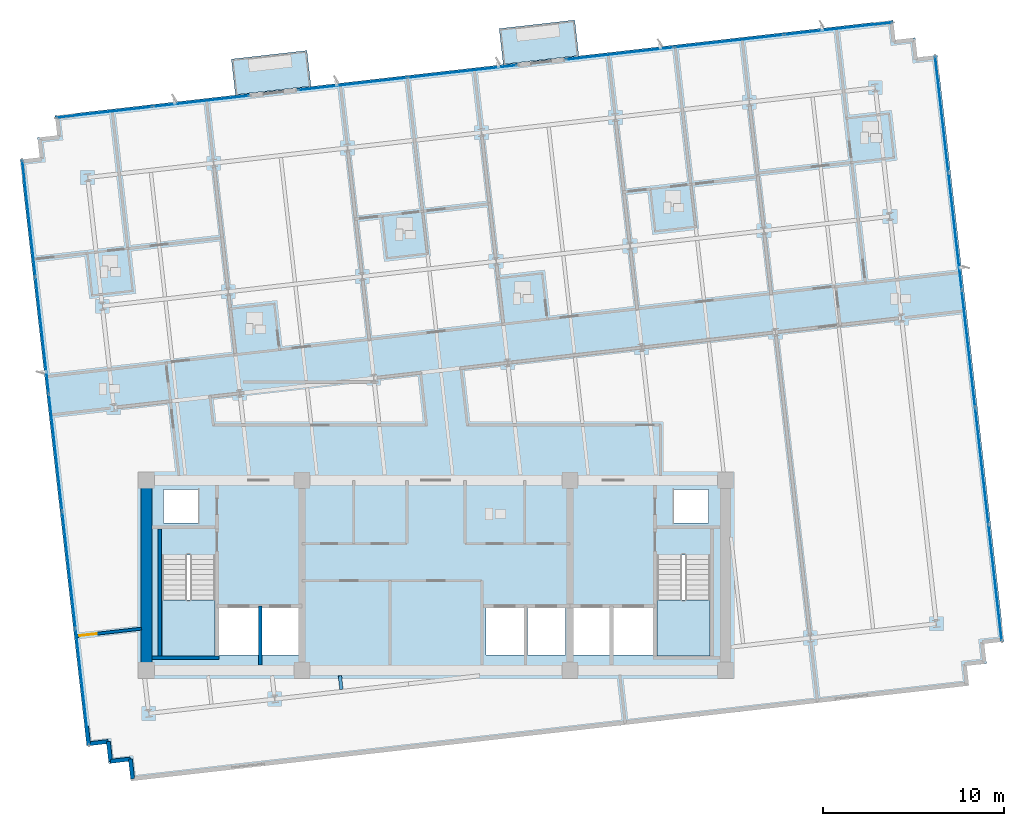
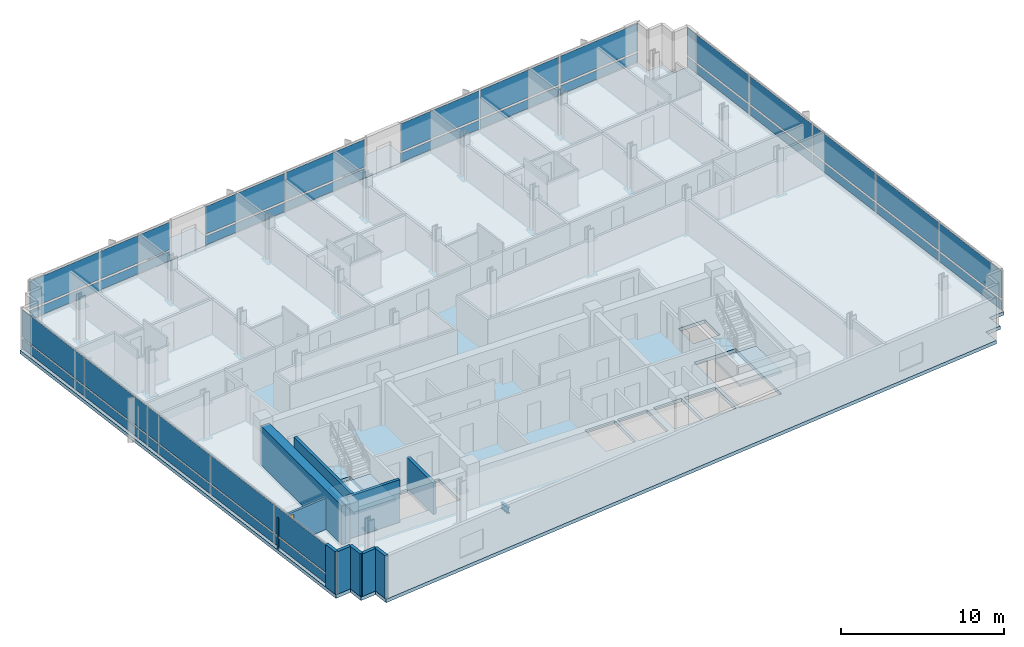
# One storey, part 7 of 17: 34 plates, 10 walls, 5 slabs, 1 beam, 1 door, 1 opening, 7 elements without a shape of their own.
"""IFC4 building model written with IfcOpenShell, lengths in metres."""

import ifcopenshell
import ifcopenshell.guid

model = None  # the IFC model being written
_history = None  # IfcOwnerHistory: only IFC2X3 demands one
_inside = {}  # id of a spatial element -> (the spatial element, [elements in it])
_under = {}  # id of a project, library or spatial element -> (it, [spatial elements below it])
_declared = {}  # id of a project -> (the project, [libraries it declares])
_typed = {}  # id of a type object -> (the type object, [elements of that type])
_made_of = {}  # id of a material, layer set ... -> (it, [elements and type objects made of it])


def new_model(schema):
    """Start an empty IFC model of exactly this schema.

    Asked for "IFC4X3", IfcOpenShell would pick the latest addendum, in which some entities
    have other attributes; the version numbers below select the first issue.
    IFC2X3 requires an IfcOwnerHistory on every rooted entity: one is made here for all.
    """
    global model, _history
    if schema == "IFC4X3":
        model = ifcopenshell.file(schema_version=(4, 3, 0, 0))
    else:
        model = ifcopenshell.file(schema=schema)
    _inside.clear()
    _under.clear()
    _declared.clear()
    _typed.clear()
    _made_of.clear()
    _history = None
    if model.schema == "IFC2X3":
        org = make("IfcOrganization", Name="unknown")
        user = make(
            "IfcPersonAndOrganization",
            ThePerson=make("IfcPerson", FamilyName="unknown"),
            TheOrganization=org,
        )
        app = make(
            "IfcApplication",
            ApplicationDeveloper=org,
            Version="unknown",
            ApplicationFullName="unknown",
            ApplicationIdentifier="unknown",
        )
        _history = make(
            "IfcOwnerHistory",
            OwningUser=user,
            OwningApplication=app,
            ChangeAction="ADDED",
            CreationDate=0,
        )
    return model


def make(cls, **values):
    """One entity of the class cls with the attributes given. An attribute that is None is left unset."""
    return model.create_entity(
        cls, **{name: value for name, value in values.items() if value is not None}
    )


def rooted(cls, **values):
    """An entity with a GlobalId (a new one), such as an element, a storey or a relation."""
    return make(cls, GlobalId=ifcopenshell.guid.new(), OwnerHistory=_history, **values)


def si_unit(unit_type, name, prefix=None):
    """IfcSIUnit, for example si_unit("LENGTHUNIT", "METRE", prefix="MILLI")."""
    return make("IfcSIUnit", UnitType=unit_type, Prefix=prefix, Name=name)


def assignment(units):
    """IfcUnitAssignment: the units of a project."""
    return None if units is None else make("IfcUnitAssignment", Units=units)


def point(xyz):
    """IfcCartesianPoint."""
    return None if xyz is None else make("IfcCartesianPoint", Coordinates=xyz)


def direction(xyz):
    """IfcDirection."""
    return None if xyz is None else make("IfcDirection", DirectionRatios=xyz)


def frame(location, z_axis=None, x_axis=None):
    """IfcAxis2Placement3D, a coordinate frame: its origin and axes. An axis left out is left unset."""
    return make(
        "IfcAxis2Placement3D",
        Location=point(location),
        Axis=direction(z_axis),
        RefDirection=direction(x_axis),
    )


def frame_2d(location, x_axis=None):
    """IfcAxis2Placement2D, a coordinate frame in the plane: its origin and x axis."""
    return make(
        "IfcAxis2Placement2D", Location=point(location), RefDirection=direction(x_axis)
    )


def origin():
    """The frame at (0, 0, 0) with its axes left unset."""
    return frame((0.0, 0.0, 0.0))


def origin_2d():
    """The frame at (0, 0) in the plane with its x axis left unset."""
    return frame_2d((0.0, 0.0))


def place(relative_to, where):
    """IfcLocalPlacement: puts the frame where relative to a parent placement (None: the world)."""
    return make(
        "IfcLocalPlacement", PlacementRelTo=relative_to, RelativePlacement=where
    )


def context(
    kind, dimensions, precision=None, world=None, true_north=None, identifier=None
):
    """IfcGeometricRepresentationContext, for example the 3D "Model" context."""
    return make(
        "IfcGeometricRepresentationContext",
        ContextIdentifier=identifier,
        ContextType=kind,
        CoordinateSpaceDimension=dimensions,
        Precision=precision,
        WorldCoordinateSystem=world,
        TrueNorth=true_north,
    )


def subcontext(parent, identifier, kind, view, scale=None):
    """IfcGeometricRepresentationSubContext, for example "Body" below "Model"."""
    return make(
        "IfcGeometricRepresentationSubContext",
        ContextIdentifier=identifier,
        ContextType=kind,
        ParentContext=parent,
        TargetScale=scale,
        TargetView=view,
    )


def project(units=None, contexts=None):
    """IfcProject with its units and contexts."""
    return rooted(
        "IfcProject",
        Name="project",
        RepresentationContexts=contexts,
        UnitsInContext=assignment(units),
    )


def spatial(cls, under=None, at=None, **own):
    """A site, building, storey or space (cls), placed at a placement, below another one or the project."""
    s = rooted(cls, ObjectPlacement=at, **own)
    if under is not None:
        _under.setdefault(under.id(), (under, []))[1].append(s)
    return s


def polyline(points):
    """IfcPolyline through the points."""
    return make("IfcPolyline", Points=[point(p) for p in points])


def profile(cls, at=None, kind="AREA", **sizes):
    """A parametric profile (cls). Its sizes go by their IFC names, for example OverallWidth=200.0."""
    return make(cls, ProfileType=kind, Position=at, **sizes)


def rectangle(**sizes):
    """IfcRectangleProfileDef."""
    return profile("IfcRectangleProfileDef", **sizes)


def i_section(**sizes):
    """IfcIShapeProfileDef."""
    return profile("IfcIShapeProfileDef", **sizes)


def outline(outer, holes=None, kind="AREA"):
    """IfcArbitraryClosedProfileDef: a profile drawn as a closed curve; with holes, ...WithVoids."""
    if holes is None:
        return make("IfcArbitraryClosedProfileDef", ProfileType=kind, OuterCurve=outer)
    return make(
        "IfcArbitraryProfileDefWithVoids",
        ProfileType=kind,
        OuterCurve=outer,
        InnerCurves=holes,
    )


def extrude(swept, where, along, depth):
    """IfcExtrudedAreaSolid: the profile swept, set in the frame where, extruded along a direction by depth."""
    return make(
        "IfcExtrudedAreaSolid",
        SweptArea=swept,
        Position=where,
        ExtrudedDirection=direction(along),
        Depth=depth,
    )


def shape(context_of_items, identifier, shape_type, items):
    """IfcShapeRepresentation: the items that make up one representation, for example the "Body"."""
    return make(
        "IfcShapeRepresentation",
        ContextOfItems=context_of_items,
        RepresentationIdentifier=identifier,
        RepresentationType=shape_type,
        Items=items,
    )


def material(Name=None, Category=None):
    """IfcMaterial."""
    return make("IfcMaterial", Name=Name, Category=Category)


def layer(
    of_material, thickness, ventilated=None, Name=None, Category=None, Priority=None
):
    """IfcMaterialLayer: one layer of a wall or slab, of a material (None: an air gap)."""
    return make(
        "IfcMaterialLayer",
        Material=of_material,
        LayerThickness=thickness,
        IsVentilated=ventilated,
        Name=Name,
        Category=Category,
        Priority=Priority,
    )


def layer_set(layers, Name=None):
    """IfcMaterialLayerSet."""
    return make("IfcMaterialLayerSet", MaterialLayers=layers, LayerSetName=Name)


def material_profile(
    of_material, cross_section, Name=None, Category=None, Priority=None
):
    """IfcMaterialProfile: a cross section and its material."""
    return make(
        "IfcMaterialProfile",
        Name=Name,
        Material=of_material,
        Profile=cross_section,
        Priority=Priority,
        Category=Category,
    )


def profile_set(profiles, Name=None, composite=None):
    """IfcMaterialProfileSet."""
    return make(
        "IfcMaterialProfileSet",
        Name=Name,
        MaterialProfiles=profiles,
        CompositeProfile=composite,
    )


def made_of(thing, what):
    """Note that an element or type object is made of a material, layer set ...; save() writes the relation."""
    if what is not None:
        _made_of.setdefault(what.id(), (what, []))[1].append(thing)
    return thing


def type_object(cls, material=None, **own):
    """A type object (cls), such as IfcWallType, which elements share."""
    return made_of(rooted(cls, **own), material)


def element(
    cls,
    number,
    at=None,
    inside=None,
    cuts=None,
    type_object=None,
    material=None,
    context=None,
    identifier="Body",
    shape_type=None,
    held_by="IfcProductDefinitionShape",
    body=None,
    shapes=None,
    **own,
):
    """One element of the class cls, such as IfcWall. Its Tag is "e" and its number.

    at: its placement. inside: the storey or other place that contains it. cuts: it is an
    opening in that element (IfcRelVoidsElement). A single representation is given by context,
    identifier, shape_type and body (its items); several are given by shapes. held_by: the class
    of the entity that holds the representations. save() writes the other relations.
    """
    e = rooted(cls, Tag="e%d" % number, ObjectPlacement=at, **own)
    if body is not None:
        shapes = [shape(context, identifier, shape_type, body)]
    if shapes is not None:
        e.Representation = make(held_by, Representations=shapes)
    if inside is not None:
        _inside.setdefault(inside.id(), (inside, []))[1].append(e)
    if cuts is not None:
        rooted(
            "IfcRelVoidsElement", RelatingBuildingElement=cuts, RelatedOpeningElement=e
        )
    if type_object is not None:
        _typed.setdefault(type_object.id(), (type_object, []))[1].append(e)
    return made_of(e, material)


def fill(opening, filler):
    """IfcRelFillsElement: the door or window that sits in an opening."""
    return rooted(
        "IfcRelFillsElement",
        RelatingOpeningElement=opening,
        RelatedBuildingElement=filler,
    )


def aggregate(whole, parts):
    """IfcRelAggregates: a whole, such as a stair, and the parts it consists of."""
    return rooted("IfcRelAggregates", RelatingObject=whole, RelatedObjects=parts)


def save(model, path):
    """Write the relations noted so far, then the file.

    IfcRelAggregates (storeys below a building ...), IfcRelContainedInSpatialStructure (elements
    in a storey), IfcRelDefinesByType, IfcRelAssociatesMaterial and IfcRelDeclares: one each for
    every whole, place, type object, material and project.
    """
    for whole, parts in _under.values():
        aggregate(whole, parts)
    for where, things in _inside.values():
        rooted(
            "IfcRelContainedInSpatialStructure",
            RelatedElements=things,
            RelatingStructure=where,
        )
    for kind, things in _typed.values():
        rooted("IfcRelDefinesByType", RelatedObjects=things, RelatingType=kind)
    for what, things in _made_of.values():
        rooted("IfcRelAssociatesMaterial", RelatedObjects=things, RelatingMaterial=what)
    for by, libraries in _declared.values():
        rooted("IfcRelDeclares", RelatingContext=by, RelatedDefinitions=libraries)
    model.write(path)


model = new_model("IFC4")

# Units and contexts
model_context = context("Model", 3, precision=1e-05, world=origin(), true_north=direction((0.0, 1.0)))
body_context = subcontext(model_context, "Body", "Model", "MODEL_VIEW")
ifc_project = project(units=[si_unit("LENGTHUNIT", "METRE"), si_unit("AREAUNIT", "SQUARE_METRE"), si_unit("VOLUMEUNIT", "CUBIC_METRE"), si_unit("PLANEANGLEUNIT", "RADIAN"), si_unit("MASSUNIT", "GRAM", prefix="KILO")], contexts=[model_context])

# Site, building, storey
site_placement = place(None, origin())
site = spatial("IfcSite", under=ifc_project, at=site_placement, CompositionType="ELEMENT")
building_placement = place(site_placement, origin())
building = spatial("IfcBuilding", under=site, at=building_placement, Name="Solmavex Isthmus Hotel", CompositionType="ELEMENT")
storey_placement = place(building_placement, frame((0.0, 0.0, 202.050048828125)))
storey = spatial("IfcBuildingStorey", under=building, at=storey_placement, Name="L54", CompositionType="ELEMENT", Elevation=202.050048828125)

# Beam
ifc_material_1 = material(Name="Steel ASTM A992 Grade 50", Category="steel")
ifc_material_profile = material_profile(ifc_material_1, i_section(OverallWidth=0.1904296875, OverallDepth=0.456787109375, WebThickness=0.009033203125, FlangeThickness=0.014404296875, FilletRadius=0.0126953125, at=origin_2d()), Name="W18X50")
ifc_profile_set = profile_set([ifc_material_profile], Name="Steel ASTM A992 Grade 50")
beam_type = type_object("IfcBeamType", Name="BM-BJ-W18X50", PredefinedType="JOIST", material=ifc_profile_set)
beam_placement = place(storey_placement, frame((-5.2236328125, -14.05419921875, -0.488525390625), z_axis=(-0.112902470797, 0.993606074905, 0.0), x_axis=(-0.993606074905, -0.112902470797, 0.0)))
element("IfcBeam", 1, at=beam_placement, inside=storey, type_object=beam_type, Name="Secondary Floor Joist L54-J05", PredefinedType="JOIST", context=body_context, shape_type="SweptSolid", body=[
    extrude(i_section(OverallWidth=0.1904296875, OverallDepth=0.456787109375, WebThickness=0.009033203125, FlangeThickness=0.014404296875, FilletRadius=0.0126953125, at=origin_2d()), origin(), (0.0, 0.0, 1.0), 0.759033203125),
])

# Curtain wall, plates
ifc_material_2 = material(Name="Aluminium alloy 6063-T6", Category="aluminium")
curtain_wall_type = type_object("IfcCurtainWallType", Name="CW-SYS-04", PredefinedType="NOTDEFINED", material=ifc_material_2)
curtain_wall_1_placement = place(storey_placement, origin())
curtain_wall_1 = element("IfcCurtainWall", 2, at=curtain_wall_1_placement, inside=storey, type_object=curtain_wall_type, Name="Stick Curtain Wall CWL-L54-N1", PredefinedType="NOTDEFINED")
ifc_material_3 = material(Name="Clear low-E laminated glass", Category="glass")
ifc_layer_1 = layer(ifc_material_3, 0.033935546875)
ifc_layer_set_1 = layer_set([ifc_layer_1], Name="Clear low-E laminated glass")
plate_type = type_object("IfcPlateType", Name="CW-SYS-04-PNL", PredefinedType="CURTAIN_PANEL", material=ifc_layer_set_1)
plate_1_placement = place(storey_placement, frame((-18.322021484375, 17.832763671875, 0.14990234375), z_axis=(0.0, 0.0, 1.0), x_axis=(0.993571901125, 0.113202814871, 0.0)))
plate_1 = element("IfcPlate", 3, at=plate_1_placement, type_object=plate_type, Name="CW-04 panel 1.1", PredefinedType="CURTAIN_PANEL", context=body_context, shape_type="SweptSolid", body=[
    extrude(rectangle(XDim=5.302978515625, YDim=0.033935546875, at=origin_2d()), origin(), (0.0, 0.0, 1.0), 0.675048828125),
])
plate_2_placement = place(storey_placement, frame((-18.322021484375, 17.832763671875, 0.97509765625), z_axis=(0.0, 0.0, 1.0), x_axis=(0.993571901125, 0.113202814871, 0.0)))
plate_2 = element("IfcPlate", 4, at=plate_2_placement, type_object=plate_type, Name="CW-04 panel 1.2", PredefinedType="CURTAIN_PANEL", context=body_context, shape_type="SweptSolid", body=[
    extrude(rectangle(XDim=5.302978515625, YDim=0.033935546875, at=origin_2d()), origin(), (0.0, 0.0, 1.0), 2.06494140625),
])
plate_3_placement = place(storey_placement, frame((-12.978515625, 18.441650390625, 0.14990234375), z_axis=(0.0, 0.0, 1.0), x_axis=(0.993571901125, 0.113202814871, 0.0)))
plate_3 = element("IfcPlate", 5, at=plate_3_placement, type_object=plate_type, Name="CW-04 panel 2.1", PredefinedType="CURTAIN_PANEL", context=body_context, shape_type="SweptSolid", body=[
    extrude(rectangle(XDim=5.302978515625, YDim=0.033935546875, at=origin_2d()), origin(), (0.0, 0.0, 1.0), 0.675048828125),
])
plate_4_placement = place(storey_placement, frame((-12.978515625, 18.441650390625, 0.97509765625), z_axis=(0.0, 0.0, 1.0), x_axis=(0.993571901125, 0.113202814871, 0.0)))
plate_4 = element("IfcPlate", 6, at=plate_4_placement, type_object=plate_type, Name="CW-04 panel 2.2", PredefinedType="CURTAIN_PANEL", context=body_context, shape_type="SweptSolid", body=[
    extrude(rectangle(XDim=5.302978515625, YDim=0.033935546875, at=origin_2d()), origin(), (0.0, 0.0, 1.0), 2.06494140625),
])
aggregate(curtain_wall_1, [plate_1, plate_2, plate_3, plate_4])

curtain_wall_2_placement = place(storey_placement, origin())
curtain_wall_2 = element("IfcCurtainWall", 7, at=curtain_wall_2_placement, inside=storey, type_object=curtain_wall_type, Name="Stick Curtain Wall CWL-L54-N2", PredefinedType="NOTDEFINED")
plate_5_placement = place(storey_placement, frame((-4.6142578125, 19.39453125, 0.14990234375), z_axis=(0.0, 0.0, 1.0), x_axis=(0.993571896348, 0.113202856801, 0.0)))
plate_5 = element("IfcPlate", 8, at=plate_5_placement, type_object=plate_type, Name="CW-04 panel 1.1", PredefinedType="CURTAIN_PANEL", context=body_context, shape_type="SweptSolid", body=[
    extrude(rectangle(XDim=6.033447265625, YDim=0.033935546875, at=origin_2d()), origin(), (0.0, 0.0, 1.0), 0.675048828125),
])
plate_6_placement = place(storey_placement, frame((-4.6142578125, 19.39453125, 0.97509765625), z_axis=(0.0, 0.0, 1.0), x_axis=(0.993571896348, 0.113202856801, 0.0)))
plate_6 = element("IfcPlate", 9, at=plate_6_placement, type_object=plate_type, Name="CW-04 panel 1.2", PredefinedType="CURTAIN_PANEL", context=body_context, shape_type="SweptSolid", body=[
    extrude(rectangle(XDim=6.033447265625, YDim=0.033935546875, at=origin_2d()), origin(), (0.0, 0.0, 1.0), 2.06494140625),
])
plate_7_placement = place(storey_placement, frame((1.454833984375, 20.086181640625, 0.14990234375), z_axis=(0.0, 0.0, 1.0), x_axis=(0.993571896348, 0.113202856801, 0.0)))
plate_7 = element("IfcPlate", 10, at=plate_7_placement, type_object=plate_type, Name="CW-04 panel 2.1", PredefinedType="CURTAIN_PANEL", context=body_context, shape_type="SweptSolid", body=[
    extrude(rectangle(XDim=6.033447265625, YDim=0.033935546875, at=origin_2d()), origin(), (0.0, 0.0, 1.0), 0.675048828125),
])
plate_8_placement = place(storey_placement, frame((1.454833984375, 20.086181640625, 0.97509765625), z_axis=(0.0, 0.0, 1.0), x_axis=(0.993571896348, 0.113202856801, 0.0)))
plate_8 = element("IfcPlate", 11, at=plate_8_placement, type_object=plate_type, Name="CW-04 panel 2.2", PredefinedType="CURTAIN_PANEL", context=body_context, shape_type="SweptSolid", body=[
    extrude(rectangle(XDim=6.033447265625, YDim=0.033935546875, at=origin_2d()), origin(), (0.0, 0.0, 1.0), 2.06494140625),
])
aggregate(curtain_wall_2, [plate_5, plate_6, plate_7, plate_8])

curtain_wall_3_placement = place(storey_placement, origin())
curtain_wall_3 = element("IfcCurtainWall", 12, at=curtain_wall_3_placement, inside=storey, type_object=curtain_wall_type, Name="Stick Curtain Wall CWL-L54-N3", PredefinedType="NOTDEFINED")
plate_9_placement = place(storey_placement, frame((10.1552734375, 21.077392578125, 0.14990234375), z_axis=(0.0, 0.0, 1.0), x_axis=(0.99357182379, 0.113203493636, 0.0)))
plate_9 = element("IfcPlate", 13, at=plate_9_placement, type_object=plate_type, Name="CW-04 panel 1.1", PredefinedType="CURTAIN_PANEL", context=body_context, shape_type="SweptSolid", body=[
    extrude(rectangle(XDim=5.979736328125, YDim=0.033935546875, at=origin_2d()), origin(), (0.0, 0.0, 1.0), 0.675048828125),
])
plate_10_placement = place(storey_placement, frame((10.1552734375, 21.077392578125, 0.97509765625), z_axis=(0.0, 0.0, 1.0), x_axis=(0.99357182379, 0.113203493636, 0.0)))
plate_10 = element("IfcPlate", 14, at=plate_10_placement, type_object=plate_type, Name="CW-04 panel 1.2", PredefinedType="CURTAIN_PANEL", context=body_context, shape_type="SweptSolid", body=[
    extrude(rectangle(XDim=5.979736328125, YDim=0.033935546875, at=origin_2d()), origin(), (0.0, 0.0, 1.0), 2.06494140625),
])
plate_11_placement = place(storey_placement, frame((16.189697265625, 21.764892578125, 0.14990234375), z_axis=(0.0, 0.0, 1.0), x_axis=(0.99357182379, 0.113203493636, 0.0)))
plate_11 = element("IfcPlate", 15, at=plate_11_placement, type_object=plate_type, Name="CW-04 panel 2.1", PredefinedType="CURTAIN_PANEL", context=body_context, shape_type="SweptSolid", body=[
    extrude(rectangle(XDim=6.017333984375, YDim=0.033935546875, at=origin_2d()), origin(), (0.0, 0.0, 1.0), 0.675048828125),
])
plate_12_placement = place(storey_placement, frame((16.189697265625, 21.764892578125, 0.97509765625), z_axis=(0.0, 0.0, 1.0), x_axis=(0.99357182379, 0.113203493636, 0.0)))
plate_12 = element("IfcPlate", 16, at=plate_12_placement, type_object=plate_type, Name="CW-04 panel 2.2", PredefinedType="CURTAIN_PANEL", context=body_context, shape_type="SweptSolid", body=[
    extrude(rectangle(XDim=6.017333984375, YDim=0.033935546875, at=origin_2d()), origin(), (0.0, 0.0, 1.0), 2.06494140625),
])
plate_13_placement = place(storey_placement, frame((22.224365234375, 22.45263671875, 0.14990234375), z_axis=(0.0, 0.0, 1.0), x_axis=(0.99357182379, 0.113203493636, 0.0)))
plate_13 = element("IfcPlate", 17, at=plate_13_placement, type_object=plate_type, Name="CW-04 panel 3.1", PredefinedType="CURTAIN_PANEL", context=body_context, shape_type="SweptSolid", body=[
    extrude(rectangle(XDim=5.979736328125, YDim=0.033935546875, at=origin_2d()), origin(), (0.0, 0.0, 1.0), 0.675048828125),
])
plate_14_placement = place(storey_placement, frame((22.224365234375, 22.45263671875, 0.97509765625), z_axis=(0.0, 0.0, 1.0), x_axis=(0.99357182379, 0.113203493636, 0.0)))
plate_14 = element("IfcPlate", 18, at=plate_14_placement, type_object=plate_type, Name="CW-04 panel 3.2", PredefinedType="CURTAIN_PANEL", context=body_context, shape_type="SweptSolid", body=[
    extrude(rectangle(XDim=5.979736328125, YDim=0.033935546875, at=origin_2d()), origin(), (0.0, 0.0, 1.0), 2.06494140625),
])
aggregate(curtain_wall_3, [plate_9, plate_10, plate_11, plate_12, plate_13, plate_14])

curtain_wall_4_placement = place(storey_placement, origin())
curtain_wall_4 = element("IfcCurtainWall", 19, at=curtain_wall_4_placement, inside=storey, type_object=curtain_wall_type, Name="Stick Curtain Wall CWL-L54-W1", PredefinedType="NOTDEFINED")
plate_15_placement = place(storey_placement, frame((-19.542724609375, -13.91064453125, 0.14990234375), z_axis=(0.0, 0.0, 1.0), x_axis=(-0.11320338078, 0.993571836648, 0.0)))
plate_15 = element("IfcPlate", 20, at=plate_15_placement, type_object=plate_type, Name="CW-04 panel 1.1", PredefinedType="CURTAIN_PANEL", context=body_context, shape_type="SweptSolid", body=[
    extrude(rectangle(XDim=6.407470703125, YDim=0.033935546875, at=origin_2d()), origin(), (0.0, 0.0, 1.0), 0.675048828125),
])
plate_16_placement = place(storey_placement, frame((-19.542724609375, -13.91064453125, 0.97509765625), z_axis=(0.0, 0.0, 1.0), x_axis=(-0.11320338078, 0.993571836648, 0.0)))
plate_16 = element("IfcPlate", 21, at=plate_16_placement, type_object=plate_type, Name="CW-04 panel 1.2", PredefinedType="CURTAIN_PANEL", context=body_context, shape_type="SweptSolid", body=[
    extrude(rectangle(XDim=6.407470703125, YDim=0.033935546875, at=origin_2d()), origin(), (0.0, 0.0, 1.0), 2.06494140625),
])
plate_17_placement = place(storey_placement, frame((-20.27880859375, -7.451171875, 0.14990234375), z_axis=(0.0, 0.0, 1.0), x_axis=(-0.11320338078, 0.993571836648, 0.0)))
plate_17 = element("IfcPlate", 22, at=plate_17_placement, type_object=plate_type, Name="CW-04 panel 2.1", PredefinedType="CURTAIN_PANEL", context=body_context, shape_type="SweptSolid", body=[
    extrude(rectangle(XDim=6.445068359375, YDim=0.033935546875, at=origin_2d()), origin(), (0.0, 0.0, 1.0), 0.675048828125),
])
plate_18_placement = place(storey_placement, frame((-20.27880859375, -7.451171875, 0.97509765625), z_axis=(0.0, 0.0, 1.0), x_axis=(-0.11320338078, 0.993571836648, 0.0)))
plate_18 = element("IfcPlate", 23, at=plate_18_placement, type_object=plate_type, Name="CW-04 panel 2.2", PredefinedType="CURTAIN_PANEL", context=body_context, shape_type="SweptSolid", body=[
    extrude(rectangle(XDim=6.445068359375, YDim=0.033935546875, at=origin_2d()), origin(), (0.0, 0.0, 1.0), 2.06494140625),
])
plate_19_placement = place(storey_placement, frame((-21.016845703125, -0.97314453125, 0.14990234375), z_axis=(0.0, 0.0, 1.0), x_axis=(-0.11320338078, 0.993571836648, 0.0)))
plate_19 = element("IfcPlate", 24, at=plate_19_placement, type_object=plate_type, Name="CW-04 panel 3.1", PredefinedType="CURTAIN_PANEL", context=body_context, shape_type="SweptSolid", body=[
    extrude(rectangle(XDim=6.445068359375, YDim=0.033935546875, at=origin_2d()), origin(), (0.0, 0.0, 1.0), 0.675048828125),
])
plate_20_placement = place(storey_placement, frame((-21.016845703125, -0.97314453125, 0.97509765625), z_axis=(0.0, 0.0, 1.0), x_axis=(-0.11320338078, 0.993571836648, 0.0)))
plate_20 = element("IfcPlate", 25, at=plate_20_placement, type_object=plate_type, Name="CW-04 panel 3.2", PredefinedType="CURTAIN_PANEL", context=body_context, shape_type="SweptSolid", body=[
    extrude(rectangle(XDim=6.445068359375, YDim=0.033935546875, at=origin_2d()), origin(), (0.0, 0.0, 1.0), 2.06494140625),
])
plate_21_placement = place(storey_placement, frame((-21.7548828125, 5.5048828125, 0.14990234375), z_axis=(0.0, 0.0, 1.0), x_axis=(-0.11320338078, 0.993571836648, 0.0)))
plate_21 = element("IfcPlate", 26, at=plate_21_placement, type_object=plate_type, Name="CW-04 panel 4.1", PredefinedType="CURTAIN_PANEL", context=body_context, shape_type="SweptSolid", body=[
    extrude(rectangle(XDim=6.445068359375, YDim=0.033935546875, at=origin_2d()), origin(), (0.0, 0.0, 1.0), 0.675048828125),
])
plate_22_placement = place(storey_placement, frame((-21.7548828125, 5.5048828125, 0.97509765625), z_axis=(0.0, 0.0, 1.0), x_axis=(-0.11320338078, 0.993571836648, 0.0)))
plate_22 = element("IfcPlate", 27, at=plate_22_placement, type_object=plate_type, Name="CW-04 panel 4.2", PredefinedType="CURTAIN_PANEL", context=body_context, shape_type="SweptSolid", body=[
    extrude(rectangle(XDim=6.445068359375, YDim=0.033935546875, at=origin_2d()), origin(), (0.0, 0.0, 1.0), 2.06494140625),
])
plate_23_placement = place(storey_placement, frame((-22.490966796875, 11.96435546875, 0.14990234375), z_axis=(0.0, 0.0, 1.0), x_axis=(-0.11320338078, 0.993571836648, 0.0)))
plate_23 = element("IfcPlate", 28, at=plate_23_placement, type_object=plate_type, Name="CW-04 panel 5.1", PredefinedType="CURTAIN_PANEL", context=body_context, shape_type="SweptSolid", body=[
    extrude(rectangle(XDim=6.407470703125, YDim=0.033935546875, at=origin_2d()), origin(), (0.0, 0.0, 1.0), 0.675048828125),
])
plate_24_placement = place(storey_placement, frame((-22.490966796875, 11.96435546875, 0.97509765625), z_axis=(0.0, 0.0, 1.0), x_axis=(-0.11320338078, 0.993571836648, 0.0)))
plate_24 = element("IfcPlate", 29, at=plate_24_placement, type_object=plate_type, Name="CW-04 panel 5.2", PredefinedType="CURTAIN_PANEL", context=body_context, shape_type="SweptSolid", body=[
    extrude(rectangle(XDim=6.407470703125, YDim=0.033935546875, at=origin_2d()), origin(), (0.0, 0.0, 1.0), 2.06494140625),
])
aggregate(curtain_wall_4, [plate_15, plate_16, plate_17, plate_18, plate_19, plate_20, plate_21, plate_22, plate_23, plate_24])

curtain_wall_5_placement = place(storey_placement, origin())
curtain_wall_5 = element("IfcCurtainWall", 30, at=curtain_wall_5_placement, inside=storey, type_object=curtain_wall_type, Name="Stick Curtain Wall CWL-L54-E1", PredefinedType="NOTDEFINED")
plate_25_placement = place(storey_placement, frame((30.890869140625, -8.16455078125, 0.14990234375), z_axis=(0.0, 0.0, 1.0), x_axis=(-0.11320338078, 0.993571836648, 0.0)))
plate_25 = element("IfcPlate", 31, at=plate_25_placement, type_object=plate_type, Name="CW-04 panel 1.1", PredefinedType="CURTAIN_PANEL", context=body_context, shape_type="SweptSolid", body=[
    extrude(rectangle(XDim=6.407470703125, YDim=0.033935546875, at=origin_2d()), origin(), (0.0, 0.0, 1.0), 0.675048828125),
])
plate_26_placement = place(storey_placement, frame((30.890869140625, -8.16455078125, 0.97509765625), z_axis=(0.0, 0.0, 1.0), x_axis=(-0.11320338078, 0.993571836648, 0.0)))
plate_26 = element("IfcPlate", 32, at=plate_26_placement, type_object=plate_type, Name="CW-04 panel 1.2", PredefinedType="CURTAIN_PANEL", context=body_context, shape_type="SweptSolid", body=[
    extrude(rectangle(XDim=6.407470703125, YDim=0.033935546875, at=origin_2d()), origin(), (0.0, 0.0, 1.0), 2.06494140625),
])
plate_27_placement = place(storey_placement, frame((30.155029296875, -1.705078125, 0.14990234375), z_axis=(0.0, 0.0, 1.0), x_axis=(-0.11320338078, 0.993571836648, 0.0)))
plate_27 = element("IfcPlate", 33, at=plate_27_placement, type_object=plate_type, Name="CW-04 panel 2.1", PredefinedType="CURTAIN_PANEL", context=body_context, shape_type="SweptSolid", body=[
    extrude(rectangle(XDim=6.445068359375, YDim=0.033935546875, at=origin_2d()), origin(), (0.0, 0.0, 1.0), 0.675048828125),
])
plate_28_placement = place(storey_placement, frame((30.155029296875, -1.705078125, 0.97509765625), z_axis=(0.0, 0.0, 1.0), x_axis=(-0.11320338078, 0.993571836648, 0.0)))
plate_28 = element("IfcPlate", 34, at=plate_28_placement, type_object=plate_type, Name="CW-04 panel 2.2", PredefinedType="CURTAIN_PANEL", context=body_context, shape_type="SweptSolid", body=[
    extrude(rectangle(XDim=6.445068359375, YDim=0.033935546875, at=origin_2d()), origin(), (0.0, 0.0, 1.0), 2.06494140625),
])
plate_29_placement = place(storey_placement, frame((29.416748046875, 4.773193359375, 0.14990234375), z_axis=(0.0, 0.0, 1.0), x_axis=(-0.11320338078, 0.993571836648, 0.0)))
plate_29 = element("IfcPlate", 35, at=plate_29_placement, type_object=plate_type, Name="CW-04 panel 3.1", PredefinedType="CURTAIN_PANEL", context=body_context, shape_type="SweptSolid", body=[
    extrude(rectangle(XDim=6.445068359375, YDim=0.033935546875, at=origin_2d()), origin(), (0.0, 0.0, 1.0), 0.675048828125),
])
plate_30_placement = place(storey_placement, frame((29.416748046875, 4.773193359375, 0.97509765625), z_axis=(0.0, 0.0, 1.0), x_axis=(-0.11320338078, 0.993571836648, 0.0)))
plate_30 = element("IfcPlate", 36, at=plate_30_placement, type_object=plate_type, Name="CW-04 panel 3.2", PredefinedType="CURTAIN_PANEL", context=body_context, shape_type="SweptSolid", body=[
    extrude(rectangle(XDim=6.445068359375, YDim=0.033935546875, at=origin_2d()), origin(), (0.0, 0.0, 1.0), 2.06494140625),
])
plate_31_placement = place(storey_placement, frame((28.6787109375, 11.251220703125, 0.14990234375), z_axis=(0.0, 0.0, 1.0), x_axis=(-0.11320338078, 0.993571836648, 0.0)))
plate_31 = element("IfcPlate", 37, at=plate_31_placement, type_object=plate_type, Name="CW-04 panel 4.1", PredefinedType="CURTAIN_PANEL", context=body_context, shape_type="SweptSolid", body=[
    extrude(rectangle(XDim=6.445068359375, YDim=0.033935546875, at=origin_2d()), origin(), (0.0, 0.0, 1.0), 0.675048828125),
])
plate_32_placement = place(storey_placement, frame((28.6787109375, 11.251220703125, 0.97509765625), z_axis=(0.0, 0.0, 1.0), x_axis=(-0.11320338078, 0.993571836648, 0.0)))
plate_32 = element("IfcPlate", 38, at=plate_32_placement, type_object=plate_type, Name="CW-04 panel 4.2", PredefinedType="CURTAIN_PANEL", context=body_context, shape_type="SweptSolid", body=[
    extrude(rectangle(XDim=6.445068359375, YDim=0.033935546875, at=origin_2d()), origin(), (0.0, 0.0, 1.0), 2.06494140625),
])
plate_33_placement = place(storey_placement, frame((27.94287109375, 17.710693359375, 0.14990234375), z_axis=(0.0, 0.0, 1.0), x_axis=(-0.11320338078, 0.993571836648, 0.0)))
plate_33 = element("IfcPlate", 39, at=plate_33_placement, type_object=plate_type, Name="CW-04 panel 5.1", PredefinedType="CURTAIN_PANEL", context=body_context, shape_type="SweptSolid", body=[
    extrude(rectangle(XDim=6.407470703125, YDim=0.033935546875, at=origin_2d()), origin(), (0.0, 0.0, 1.0), 0.675048828125),
])
plate_34_placement = place(storey_placement, frame((27.94287109375, 17.710693359375, 0.97509765625), z_axis=(0.0, 0.0, 1.0), x_axis=(-0.11320338078, 0.993571836648, 0.0)))
plate_34 = element("IfcPlate", 40, at=plate_34_placement, type_object=plate_type, Name="CW-04 panel 5.2", PredefinedType="CURTAIN_PANEL", context=body_context, shape_type="SweptSolid", body=[
    extrude(rectangle(XDim=6.407470703125, YDim=0.033935546875, at=origin_2d()), origin(), (0.0, 0.0, 1.0), 2.06494140625),
])
aggregate(curtain_wall_5, [plate_25, plate_26, plate_27, plate_28, plate_29, plate_30, plate_31, plate_32, plate_33, plate_34])

# Slabs
ifc_material_4 = material(Name="Concrete C40/50", Category="concrete")
ifc_layer_2 = layer(ifc_material_4, 0.239990234375)
ifc_layer_set_2 = layer_set([ifc_layer_2], Name="Concrete C40/50")
slab_type_1 = type_object("IfcSlabType", Name="SLAB-BALC-240", PredefinedType="FLOOR", material=ifc_layer_set_2)
slab_1_placement = place(storey_placement, frame((0.0, 0.0, -0.239990234375)))
element("IfcSlab", 41, at=slab_1_placement, inside=storey, type_object=slab_type_1, Name="Tree-Planter Balcony Slab L54-B1", PredefinedType="FLOOR", context=body_context, shape_type="SweptSolid", body=[
    extrude(outline(polyline([(-11.07958984375, 18.7939453125), (-6.90673828125, 19.269287109375), (-7.13134765625, 21.24169921875), (-11.304443359375, 20.76611328125), (-11.07958984375, 18.7939453125)])), origin(), (0.0, 0.0, 1.0), 0.239990234375),
])
slab_2_placement = place(storey_placement, frame((0.0, 0.0, -0.239990234375)))
element("IfcSlab", 42, at=slab_2_placement, inside=storey, type_object=slab_type_1, Name="Tree-Planter Balcony Slab L54-B2", PredefinedType="FLOOR", context=body_context, shape_type="SweptSolid", body=[
    extrude(outline(polyline([(3.716552734375, 20.479736328125), (7.8896484375, 20.955078125), (7.664794921875, 22.927490234375), (3.491943359375, 22.451904296875), (3.716552734375, 20.479736328125)])), origin(), (0.0, 0.0, 1.0), 0.239990234375),
])
ifc_layer_3 = layer(ifc_material_4, 0.260009765625)
ifc_layer_set_3 = layer_set([ifc_layer_3], Name="Concrete C40/50")
slab_type_2 = type_object("IfcSlabType", Name="SLAB-TYP-260", PredefinedType="FLOOR", material=ifc_layer_set_3)
slab_3_placement = place(storey_placement, frame((0.0, 0.0, -0.260009765625)))
element("IfcSlab", 43, at=slab_3_placement, inside=storey, type_object=slab_type_2, Name="Tower Structural Floor Slab L54", PredefinedType="FLOOR", context=body_context, shape_type="SweptSolid", body=[
    extrude(outline(polyline([(-15.762939453125, -18.994140625), (28.3515625, -13.968017578125), (29.444580078125, -13.843505859375), (29.320068359375, -12.75048828125), (30.412841796875, -12.6259765625), (30.288330078125, -11.532958984375), (31.38134765625, -11.408447265625), (31.2568359375, -10.315673828125), (27.8154296875, 19.888916015625), (27.69091796875, 20.98193359375), (26.597900390625, 20.857421875), (26.473388671875, 21.9501953125), (25.38037109375, 21.82568359375), (25.255859375, 22.918701171875), (24.1630859375, 22.794189453125), (-19.95166015625, 17.76806640625), (-21.04443359375, 17.6435546875), (-20.919921875, 16.550537109375), (-22.012939453125, 16.426025390625), (-21.888427734375, 15.3330078125), (-22.981201171875, 15.20849609375), (-22.856689453125, 14.11572265625), (-19.415283203125, -16.0888671875), (-19.290771484375, -17.181884765625), (-18.197998046875, -17.057373046875), (-18.073486328125, -18.150390625), (-16.98046875, -18.02587890625), (-16.85595703125, -19.11865234375), (-15.762939453125, -18.994140625)]), holes=[polyline([(-15.14990234375, -6.617919921875), (-15.14990234375, -12.199951171875), (-12.199951171875, -12.199951171875), (-12.199951171875, -6.617919921875), (-15.14990234375, -6.617919921875)]), polyline([(12.199951171875, -6.617919921875), (12.199951171875, -12.199951171875), (15.14990234375, -12.199951171875), (15.14990234375, -6.617919921875), (12.199951171875, -6.617919921875)]), polyline([(-12.0, -12.14990234375), (-9.800048828125, -12.14990234375), (-9.800048828125, -9.550048828125), (-12.0, -9.550048828125), (-12.0, -12.14990234375)]), polyline([(9.800048828125, -12.14990234375), (12.0, -12.14990234375), (12.0, -9.550048828125), (9.800048828125, -9.550048828125), (9.800048828125, -12.14990234375)]), polyline([(-9.60009765625, -12.14990234375), (-7.60009765625, -12.14990234375), (-7.60009765625, -9.550048828125), (-9.60009765625, -9.550048828125), (-9.60009765625, -12.14990234375)]), polyline([(7.60009765625, -12.14990234375), (9.60009765625, -12.14990234375), (9.60009765625, -9.550048828125), (7.60009765625, -9.550048828125), (7.60009765625, -12.14990234375)]), polyline([(2.75, -12.14990234375), (4.85009765625, -12.14990234375), (4.85009765625, -9.550048828125), (2.75, -9.550048828125), (2.75, -12.14990234375)]), polyline([(5.050048828125, -12.14990234375), (7.14990234375, -12.14990234375), (7.14990234375, -9.550048828125), (5.050048828125, -9.550048828125), (5.050048828125, -12.14990234375)]), polyline([(-15.050048828125, -4.85009765625), (-13.14990234375, -4.85009765625), (-13.14990234375, -3.0), (-15.050048828125, -3.0), (-15.050048828125, -4.85009765625)]), polyline([(13.14990234375, -4.85009765625), (15.050048828125, -4.85009765625), (15.050048828125, -3.0), (13.14990234375, -3.0), (13.14990234375, -4.85009765625)])]), origin(), (0.0, 0.0, 1.0), 0.260009765625),
])

# Stair, slab
stair_type_1 = type_object("IfcStairType", Name="STR-ST-1", PredefinedType="HALF_TURN_STAIR", material=ifc_material_4)
stair_1_placement = place(storey_placement, origin())
stair_1 = element("IfcStair", 44, at=stair_1_placement, inside=storey, type_object=stair_type_1, Name="L54 Protected Exit Stair ST-1", PredefinedType="HALF_TURN_STAIR")
ifc_layer_4 = layer(ifc_material_4, 0.219970703125)
ifc_layer_set_4 = layer_set([ifc_layer_4], Name="Concrete C40/50")
slab_type_3 = type_object("IfcSlabType", Name="SLD-ST-1", PredefinedType="LANDING", material=ifc_layer_set_4)
slab_4_placement = place(storey_placement, frame((0.0, 0.0, 1.52490234375)))
slab_4 = element("IfcSlab", 45, at=slab_4_placement, type_object=slab_type_3, Name="ST-1 landing 1", PredefinedType="LANDING", context=body_context, shape_type="SweptSolid", body=[
    extrude(outline(polyline([(-15.14990234375, -9.1201171875), (-15.14990234375, -12.199951171875), (-12.199951171875, -12.199951171875), (-12.199951171875, -9.1201171875), (-15.14990234375, -9.1201171875)])), origin(), (0.0, 0.0, 1.0), 0.199951171875),
])
aggregate(stair_1, [slab_4])

stair_type_2 = type_object("IfcStairType", Name="STR-ST-2", PredefinedType="HALF_TURN_STAIR", material=ifc_material_4)
stair_2_placement = place(storey_placement, origin())
stair_2 = element("IfcStair", 46, at=stair_2_placement, inside=storey, type_object=stair_type_2, Name="L54 Protected Exit Stair ST-2", PredefinedType="HALF_TURN_STAIR")
ifc_layer_5 = layer(ifc_material_4, 0.219970703125)
ifc_layer_set_5 = layer_set([ifc_layer_5], Name="Concrete C40/50")
slab_type_4 = type_object("IfcSlabType", Name="SLD-ST-2", PredefinedType="LANDING", material=ifc_layer_set_5)
slab_5_placement = place(storey_placement, frame((0.0, 0.0, 1.52490234375)))
slab_5 = element("IfcSlab", 47, at=slab_5_placement, type_object=slab_type_4, Name="ST-2 landing 1", PredefinedType="LANDING", context=body_context, shape_type="SweptSolid", body=[
    extrude(outline(polyline([(12.199951171875, -9.1201171875), (12.199951171875, -12.199951171875), (15.14990234375, -12.199951171875), (15.14990234375, -9.1201171875), (12.199951171875, -9.1201171875)])), origin(), (0.0, 0.0, 1.0), 0.199951171875),
])
aggregate(stair_2, [slab_5])

# Walls
ifc_material_5 = material(Name="Precast Concrete C40/50", Category="concrete")
ifc_layer_6 = layer(ifc_material_5, 0.25)
ifc_layer_set_6 = layer_set([ifc_layer_6], Name="Precast Concrete C40/50")
wall_type_1 = type_object("IfcWallType", Name="EW-TWR-250", PredefinedType="STANDARD", material=ifc_layer_set_6)
for number, where, z_axis, x_axis, name in (
    (48, (-16.759033203125, -18.9970703125, 0.0), (0.0, 0.0, 1.0), (-0.113183557839, 0.99357409499, 0.0), "Serrated Corner Facade Panel L54-01"),
    (49, (-16.883544921875, -17.904052734375, 0.0), (0.0, 0.0, 1.0), (-0.99357409499, -0.113183557839, 0.0), "Serrated Corner Facade Panel L54-02"),
    (50, (-17.9765625, -18.028564453125, 0.0), (0.0, 0.0, 1.0), (-0.113183557839, 0.99357409499, 0.0), "Serrated Corner Facade Panel L54-03"),
    (51, (-18.10107421875, -16.935546875, 0.0), (0.0, 0.0, 1.0), (-0.99357409499, -0.113183557839, 0.0), "Serrated Corner Facade Panel L54-04"),
):
    element("IfcWall", number, at=place(storey_placement, frame(where, z_axis=z_axis, x_axis=x_axis)), inside=storey, type_object=wall_type_1, Name=name, PredefinedType="STANDARD", context=body_context, shape_type="SweptSolid", body=[
        extrude(rectangle(XDim=1.10009765625, YDim=0.219970703125, at=frame_2d((0.550048828125, 0.0))), origin(), (0.0, 0.0, 1.0), 3.18994140625),
    ])
wall_1_placement = place(storey_placement, frame((-19.194091796875, -17.06005859375, 0.0), z_axis=(0.0, 0.0, 1.0), x_axis=(-0.113191877531, 0.993573147212, 0.0)))
element("IfcWall", 52, at=wall_1_placement, inside=storey, type_object=wall_type_1, Name="Serrated Corner Facade Panel L54-05", PredefinedType="STANDARD", context=body_context, shape_type="SweptSolid", body=[
    extrude(rectangle(XDim=0.989990234375, YDim=0.219970703125, at=frame_2d((0.4951171875, 0.0))), origin(), (0.0, 0.0, 1.0), 3.18994140625),
])

# Wall, opening, door
ifc_material_6 = material(Name="Gypsum plasterboard lining", Category="gypsum")
ifc_layer_7 = layer(ifc_material_6, 0.159912109375)
ifc_layer_set_7 = layer_set([ifc_layer_7], Name="Gypsum plasterboard lining")
wall_type_2 = type_object("IfcWallType", Name="IW-COMP-160", PredefinedType="PARTITIONING", material=ifc_layer_set_7)
wall_2_placement = place(storey_placement, frame((-16.26025390625, -10.697021484375, 0.0), z_axis=(0.0, 0.0, 1.0), x_axis=(-0.993567835793, -0.113238490269, 0.0)))
wall_2 = element("IfcWall", 53, at=wall_2_placement, inside=storey, type_object=wall_type_2, Name="Interior Partition Wall W-L54-P084", PredefinedType="PARTITIONING", context=body_context, shape_type="SweptSolid", body=[
    extrude(rectangle(XDim=3.665283203125, YDim=0.159912109375, at=frame_2d((1.83251953125, 0.0))), origin(), (0.0, 0.0, 1.0), 2.324951171875),
])
opening_placement = place(wall_2_placement, frame((2.505126953125, 0.0, 0.0)))
opening = element("IfcOpeningElement", 54, at=opening_placement, cuts=wall_2, Name="Opening ID-C095", PredefinedType="OPENING", context=body_context, shape_type="SweptSolid", body=[
    extrude(rectangle(XDim=0.949951171875, YDim=2.14990234375, at=frame_2d((0.47509765625, 1.074951171875))), frame((0.0, 0.08984375, 0.0), z_axis=(0.0, -1.0, 0.0), x_axis=(1.0, 0.0, 0.0)), (0.0, 0.0, 1.0), 0.179931640625),
])
ifc_material_7 = material(Name="Hardwood timber", Category="wood")
door_type = type_object("IfcDoorType", Name="IDR-FD60-0950", OperationType="NOTDEFINED", PredefinedType="DOOR", material=ifc_material_7)
door_placement = place(opening_placement, frame((0.949951171875, 0.0, 0.0), z_axis=(0.0, 0.0, 1.0), x_axis=(-1.0, 0.0, 0.0)))
door = element("IfcDoor", 55, at=door_placement, inside=storey, type_object=door_type, Name="Corporate Briefing Office Door L54-25", OperationType="SINGLE_SWING_LEFT", OverallHeight=2.14990234375, OverallWidth=0.949951171875, PredefinedType="DOOR", context=body_context, shape_type="SweptSolid", body=[
    extrude(rectangle(XDim=0.949951171875, YDim=2.14990234375, at=frame_2d((0.47509765625, 1.074951171875))), frame((0.0, 0.02490234375, 0.0), z_axis=(0.0, -1.0, 0.0), x_axis=(1.0, 0.0, 0.0)), (0.0, 0.0, 1.0), 0.050048828125),
])
fill(opening, door)

# Walls
ifc_layer_8 = layer(ifc_material_4, 0.199951171875)
ifc_layer_set_8 = layer_set([ifc_layer_8], Name="Concrete C40/50")
wall_type_3 = type_object("IfcWallType", Name="IW-SHAFT-200", PredefinedType="PARTITIONING", material=ifc_layer_set_8)
wall_3_placement = place(storey_placement, frame((-9.699951171875, -12.699951171875, 0.0), z_axis=(0.0, 0.0, 1.0), x_axis=(0.0, 1.0, 0.0)))
element("IfcWall", 56, at=wall_3_placement, inside=storey, type_object=wall_type_3, Name="Interior Partition Wall W-L54-FFLW-M", PredefinedType="PARTITIONING", context=body_context, shape_type="SweptSolid", body=[
    extrude(rectangle(XDim=3.25, YDim=0.199951171875, at=frame_2d((1.625, 0.0))), origin(), (0.0, 0.0, 1.0), 2.324951171875),
])
ifc_material_8 = material(Name="Concrete C50/60", Category="concrete")
ifc_layer_9 = layer(ifc_material_8, 0.60009765625)
ifc_layer_set_9 = layer_set([ifc_layer_9], Name="Concrete C50/60")
wall_type_4 = type_object("IfcWallType", Name="WALL-CW-600", PredefinedType="SHEAR", material=ifc_layer_set_9)
wall_4_placement = place(storey_placement, frame((-16.0, -12.699951171875, 0.0), z_axis=(0.0, 0.0, 1.0), x_axis=(0.0, 1.0, 0.0)))
element("IfcWall", 57, at=wall_4_placement, inside=storey, type_object=wall_type_4, Name="Core Shear Wall West L54", PredefinedType="SHEAR", context=body_context, shape_type="SweptSolid", body=[
    extrude(rectangle(XDim=9.89990234375, YDim=0.60009765625, at=frame_2d((4.949951171875, 0.0))), origin(), (0.0, 0.0, 1.0), 2.909912109375),
])
ifc_layer_10 = layer(ifc_material_4, 0.199951171875)
ifc_layer_set_10 = layer_set([ifc_layer_10], Name="Concrete C40/50")
wall_type_5 = type_object("IfcWallType", Name="WALL-SW-200", PredefinedType="SOLIDWALL", material=ifc_layer_set_10)
wall_5_placement = place(storey_placement, frame((-15.699951171875, -12.300048828125, 0.0), z_axis=(0.0, 0.0, 1.0), x_axis=(1.0, 0.0, 0.0)))
element("IfcWall", 58, at=wall_5_placement, inside=storey, type_object=wall_type_5, Name="Stairwell Structural Wall SW-L54-ST1-S", PredefinedType="SOLIDWALL", context=body_context, shape_type="SweptSolid", body=[
    extrude(rectangle(XDim=3.699951171875, YDim=0.199951171875, at=frame_2d((1.85009765625, 0.0))), origin(), (0.0, 0.0, 1.0), 3.18994140625),
])
wall_6_placement = place(storey_placement, frame((-15.25, -12.199951171875, 0.0), z_axis=(0.0, 0.0, 1.0), x_axis=(0.0, 1.0, 0.0)))
element("IfcWall", 59, at=wall_6_placement, inside=storey, type_object=wall_type_5, Name="Stairwell Structural Wall SW-L54-ST1-W", PredefinedType="SOLIDWALL", context=body_context, shape_type="SweptSolid", body=[
    extrude(rectangle(XDim=7.0, YDim=0.199951171875, at=frame_2d((3.5, 0.0))), origin(), (0.0, 0.0, 1.0), 3.18994140625),
])

save(model, "model.ifc")
